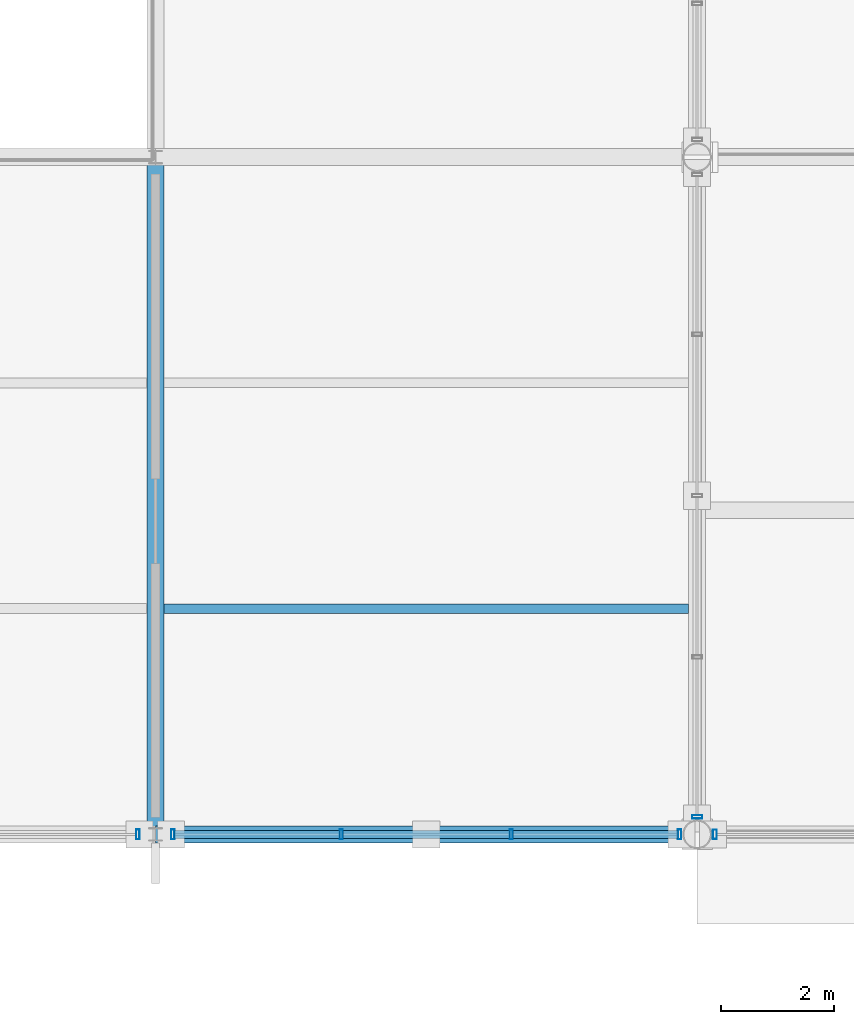
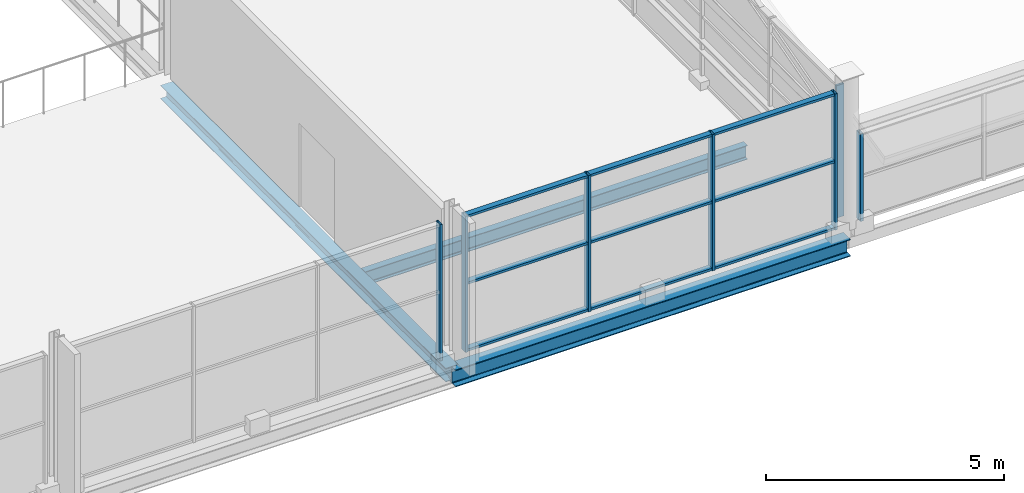
# One storey, part 29 of 117: 16 members, 3 beams, 4 elements without a shape of their own.
"""IFC4 building model written with IfcOpenShell, lengths in metres."""

from ifc_helpers import new_model, si_unit, direction, frame, origin, origin_2d, place, context, subcontext, project, spatial, hollow_rectangle, i_section, extrude, material, material_profile, profile_set, type_object, element, aggregate, save


model = new_model("IFC4")

# Units and contexts
model_context = context("Model", 3, precision=1e-05, world=origin(), true_north=direction((0.0, 1.0)))
body_context = subcontext(model_context, "Body", "Model", "MODEL_VIEW")
ifc_project = project(units=[si_unit("LENGTHUNIT", "METRE"), si_unit("AREAUNIT", "SQUARE_METRE"), si_unit("VOLUMEUNIT", "CUBIC_METRE"), si_unit("PLANEANGLEUNIT", "RADIAN"), si_unit("MASSUNIT", "GRAM", prefix="KILO")], contexts=[model_context])

# Site, building, storey
site_placement = place(None, origin())
site = spatial("IfcSite", under=ifc_project, at=site_placement, CompositionType="ELEMENT")
building_placement = place(site_placement, origin())
building = spatial("IfcBuilding", under=site, at=building_placement, Name="Merenkruunu Market Hall", CompositionType="ELEMENT")
storey_placement = place(building_placement, frame((0.0, 0.0, 10.199951171875)))
storey = spatial("IfcBuildingStorey", under=building, at=storey_placement, Name="L02", CompositionType="ELEMENT", Elevation=10.199951171875)

# Curtain wall, member
ifc_material_1 = material(Name="Powder-coated aluminium", Category="aluminium")
curtain_wall_type_1 = type_object("IfcCurtainWallType", Name="Glazed Curtain Wall CW10", PredefinedType="USERDEFINED", material=ifc_material_1)
curtain_wall_1_placement = place(storey_placement, origin())
curtain_wall_1 = element("IfcCurtainWall", 1, at=curtain_wall_1_placement, inside=storey, type_object=curtain_wall_type_1, Name="CW-L02-CWM02-033", ObjectType="GLAZED_FACADE", PredefinedType="USERDEFINED")
ifc_material_profile_1 = material_profile(ifc_material_1, hollow_rectangle(XDim=0.06005859375, YDim=0.179931640625, WallThickness=0.00390625, at=origin_2d()), Name="ALU 60x180x4")
ifc_profile_set_1 = profile_set([ifc_material_profile_1], Name="Powder-coated aluminium")
member_type_1 = type_object("IfcMemberType", Name="Curtain Wall Mullion CWM02", PredefinedType="MULLION", material=ifc_profile_set_1)
member_1_placement = place(storey_placement, frame((47.68994140625, 15.60009765625, 0.0), z_axis=(0.0, 0.0, 1.0), x_axis=(-1.0, 0.0, 0.0)))
member_1 = element("IfcMember", 2, at=member_1_placement, type_object=member_type_1, Name="CW10 mullion 1", PredefinedType="MULLION", context=body_context, shape_type="SweptSolid", body=[
    extrude(hollow_rectangle(XDim=0.06005859375, YDim=0.179931640625, WallThickness=0.00390625, at=origin_2d()), origin(), (0.0, 0.0, 1.0), 3.5),
])
aggregate(curtain_wall_1, [member_1])

# Curtain wall, members
curtain_wall_2_placement = place(storey_placement, origin())
curtain_wall_2 = element("IfcCurtainWall", 3, at=curtain_wall_2_placement, inside=storey, type_object=curtain_wall_type_1, Name="CW-L02-CWM02-036", ObjectType="GLAZED_FACADE", PredefinedType="USERDEFINED")
member_2_placement = place(storey_placement, frame((57.2900390625, 15.60009765625, 0.0), z_axis=(0.0, 0.0, 1.0), x_axis=(-1.0, 0.0, 0.0)))
member_2 = element("IfcMember", 4, at=member_2_placement, type_object=member_type_1, Name="CW10 mullion 1", PredefinedType="MULLION", context=body_context, shape_type="SweptSolid", body=[
    extrude(hollow_rectangle(XDim=0.06005859375, YDim=0.179931640625, WallThickness=0.00390625, at=origin_2d()), origin(), (0.0, 0.0, 1.0), 3.5),
])
member_3_placement = place(storey_placement, frame((54.306640625, 15.60009765625, 0.0), z_axis=(0.0, 0.0, 1.0), x_axis=(-1.0, 0.0, 0.0)))
member_3 = element("IfcMember", 5, at=member_3_placement, type_object=member_type_1, Name="CW10 mullion 2", PredefinedType="MULLION", context=body_context, shape_type="SweptSolid", body=[
    extrude(hollow_rectangle(XDim=0.06005859375, YDim=0.179931640625, WallThickness=0.00390625, at=origin_2d()), origin(), (0.0, 0.0, 1.0), 3.5),
])
member_4_placement = place(storey_placement, frame((51.293212890625, 15.60009765625, 0.0), z_axis=(0.0, 0.0, 1.0), x_axis=(-1.0, 0.0, 0.0)))
member_4 = element("IfcMember", 6, at=member_4_placement, type_object=member_type_1, Name="CW10 mullion 3", PredefinedType="MULLION", context=body_context, shape_type="SweptSolid", body=[
    extrude(hollow_rectangle(XDim=0.06005859375, YDim=0.179931640625, WallThickness=0.00390625, at=origin_2d()), origin(), (0.0, 0.0, 1.0), 3.5),
])
member_5_placement = place(storey_placement, frame((48.31005859375, 15.60009765625, 0.0), z_axis=(0.0, 0.0, 1.0), x_axis=(-1.0, 0.0, 0.0)))
member_5 = element("IfcMember", 7, at=member_5_placement, type_object=member_type_1, Name="CW10 mullion 4", PredefinedType="MULLION", context=body_context, shape_type="SweptSolid", body=[
    extrude(hollow_rectangle(XDim=0.06005859375, YDim=0.179931640625, WallThickness=0.00390625, at=origin_2d()), origin(), (0.0, 0.0, 1.0), 3.5),
])

# Curtain wall, member
curtain_wall_type_2 = type_object("IfcCurtainWallType", Name="Glazed Curtain Wall CW13", PredefinedType="USERDEFINED", material=ifc_material_1)
curtain_wall_3_placement = place(storey_placement, origin())
curtain_wall_3 = element("IfcCurtainWall", 8, at=curtain_wall_3_placement, inside=storey, type_object=curtain_wall_type_2, Name="CW-L02-CWM02-123", ObjectType="GLAZED_FACADE", PredefinedType="USERDEFINED")
member_6_placement = place(storey_placement, frame((57.60009765625, 15.909912109375, 0.0), z_axis=(0.0, 0.0, 1.0), x_axis=(0.0, 1.0, 0.0)))
member_6 = element("IfcMember", 9, at=member_6_placement, type_object=member_type_1, Name="CW13 mullion 1", PredefinedType="MULLION", context=body_context, shape_type="SweptSolid", body=[
    extrude(hollow_rectangle(XDim=0.06005859375, YDim=0.179931640625, WallThickness=0.00390625, at=origin_2d()), origin(), (0.0, 0.0, 1.0), 3.400146484375),
])
aggregate(curtain_wall_3, [member_6])

curtain_wall_type_3 = type_object("IfcCurtainWallType", Name="Glazed Curtain Wall CW16", PredefinedType="USERDEFINED", material=ifc_material_1)
curtain_wall_4_placement = place(storey_placement, origin())
curtain_wall_4 = element("IfcCurtainWall", 10, at=curtain_wall_4_placement, inside=storey, type_object=curtain_wall_type_3, Name="CW-L02-CWM04-141", ObjectType="GLAZED_FACADE", PredefinedType="USERDEFINED")
ifc_material_profile_2 = material_profile(ifc_material_1, hollow_rectangle(XDim=0.070068359375, YDim=0.169921875, WallThickness=0.0048828125, at=origin_2d()), Name="ALU 70x170x5")
ifc_profile_set_2 = profile_set([ifc_material_profile_2], Name="Powder-coated aluminium")
member_type_2 = type_object("IfcMemberType", Name="Curtain Wall Mullion CWM04", PredefinedType="MULLION", material=ifc_profile_set_2)
member_7_placement = place(storey_placement, frame((57.9150390625, 15.60009765625, 0.0), z_axis=(0.0, 0.0, 1.0), x_axis=(-1.0, 0.0, 0.0)))
member_7 = element("IfcMember", 11, at=member_7_placement, type_object=member_type_2, Name="CW16 mullion 4", PredefinedType="MULLION", context=body_context, shape_type="SweptSolid", body=[
    extrude(hollow_rectangle(XDim=0.070068359375, YDim=0.169921875, WallThickness=0.0048828125, at=origin_2d()), origin(), (0.0, 0.0, 1.0), 2.25),
])
aggregate(curtain_wall_4, [member_7])

# Member
ifc_material_profile_3 = material_profile(ifc_material_1, hollow_rectangle(XDim=0.06005859375, YDim=0.139892578125, WallThickness=0.00390625, at=origin_2d()), Name="ALU 60x140x4")
ifc_profile_set_3 = profile_set([ifc_material_profile_3], Name="Powder-coated aluminium")
member_type_3 = type_object("IfcMemberType", Name="Curtain Wall Transom CWT02", PredefinedType="USERDEFINED", material=ifc_profile_set_3)
member_8_placement = place(storey_placement, frame((57.260009765625, 15.60009765625, 0.030029296875), z_axis=(-1.0, 0.0, 0.0), x_axis=(0.0, 0.0, 1.0)))
member_8 = element("IfcMember", 12, at=member_8_placement, type_object=member_type_3, Name="CW10 transom 1.1", ObjectType="TRANSOM", PredefinedType="USERDEFINED", context=body_context, shape_type="SweptSolid", body=[
    extrude(hollow_rectangle(XDim=0.06005859375, YDim=0.139892578125, WallThickness=0.00390625, at=origin_2d()), origin(), (0.0, 0.0, 1.0), 2.92333984375),
])

member_9_placement = place(storey_placement, frame((57.260009765625, 15.60009765625, 1.75), z_axis=(-1.0, 0.0, 0.0), x_axis=(0.0, 0.0, 1.0)))
member_9 = element("IfcMember", 13, at=member_9_placement, type_object=member_type_3, Name="CW10 transom 1.2", ObjectType="TRANSOM", PredefinedType="USERDEFINED", context=body_context, shape_type="SweptSolid", body=[
    extrude(hollow_rectangle(XDim=0.06005859375, YDim=0.139892578125, WallThickness=0.00390625, at=origin_2d()), origin(), (0.0, 0.0, 1.0), 2.92333984375),
])

member_10_placement = place(storey_placement, frame((57.260009765625, 15.60009765625, 3.469970703125), z_axis=(-1.0, 0.0, 0.0), x_axis=(0.0, 0.0, 1.0)))
member_10 = element("IfcMember", 14, at=member_10_placement, type_object=member_type_3, Name="CW10 transom 1.3", ObjectType="TRANSOM", PredefinedType="USERDEFINED", context=body_context, shape_type="SweptSolid", body=[
    extrude(hollow_rectangle(XDim=0.06005859375, YDim=0.139892578125, WallThickness=0.00390625, at=origin_2d()), origin(), (0.0, 0.0, 1.0), 2.92333984375),
])

member_11_placement = place(storey_placement, frame((54.276611328125, 15.60009765625, 0.030029296875), z_axis=(-1.0, 0.0, 0.0), x_axis=(0.0, 0.0, 1.0)))
member_11 = element("IfcMember", 15, at=member_11_placement, type_object=member_type_3, Name="CW10 transom 2.1", ObjectType="TRANSOM", PredefinedType="USERDEFINED", context=body_context, shape_type="SweptSolid", body=[
    extrude(hollow_rectangle(XDim=0.06005859375, YDim=0.139892578125, WallThickness=0.00390625, at=origin_2d()), origin(), (0.0, 0.0, 1.0), 2.953369140625),
])

member_12_placement = place(storey_placement, frame((54.276611328125, 15.60009765625, 1.75), z_axis=(-1.0, 0.0, 0.0), x_axis=(0.0, 0.0, 1.0)))
member_12 = element("IfcMember", 16, at=member_12_placement, type_object=member_type_3, Name="CW10 transom 2.2", ObjectType="TRANSOM", PredefinedType="USERDEFINED", context=body_context, shape_type="SweptSolid", body=[
    extrude(hollow_rectangle(XDim=0.06005859375, YDim=0.139892578125, WallThickness=0.00390625, at=origin_2d()), origin(), (0.0, 0.0, 1.0), 2.953369140625),
])

member_13_placement = place(storey_placement, frame((54.276611328125, 15.60009765625, 3.469970703125), z_axis=(-1.0, 0.0, 0.0), x_axis=(0.0, 0.0, 1.0)))
member_13 = element("IfcMember", 17, at=member_13_placement, type_object=member_type_3, Name="CW10 transom 2.3", ObjectType="TRANSOM", PredefinedType="USERDEFINED", context=body_context, shape_type="SweptSolid", body=[
    extrude(hollow_rectangle(XDim=0.06005859375, YDim=0.139892578125, WallThickness=0.00390625, at=origin_2d()), origin(), (0.0, 0.0, 1.0), 2.953369140625),
])

member_14_placement = place(storey_placement, frame((51.263427734375, 15.60009765625, 0.030029296875), z_axis=(-1.0, 0.0, 0.0), x_axis=(0.0, 0.0, 1.0)))
member_14 = element("IfcMember", 18, at=member_14_placement, type_object=member_type_3, Name="CW10 transom 3.1", ObjectType="TRANSOM", PredefinedType="USERDEFINED", context=body_context, shape_type="SweptSolid", body=[
    extrude(hollow_rectangle(XDim=0.06005859375, YDim=0.139892578125, WallThickness=0.00390625, at=origin_2d()), origin(), (0.0, 0.0, 1.0), 2.92333984375),
])

member_15_placement = place(storey_placement, frame((51.263427734375, 15.60009765625, 1.75), z_axis=(-1.0, 0.0, 0.0), x_axis=(0.0, 0.0, 1.0)))
member_15 = element("IfcMember", 19, at=member_15_placement, type_object=member_type_3, Name="CW10 transom 3.2", ObjectType="TRANSOM", PredefinedType="USERDEFINED", context=body_context, shape_type="SweptSolid", body=[
    extrude(hollow_rectangle(XDim=0.06005859375, YDim=0.139892578125, WallThickness=0.00390625, at=origin_2d()), origin(), (0.0, 0.0, 1.0), 2.92333984375),
])

member_16_placement = place(storey_placement, frame((51.263427734375, 15.60009765625, 3.469970703125), z_axis=(-1.0, 0.0, 0.0), x_axis=(0.0, 0.0, 1.0)))
member_16 = element("IfcMember", 20, at=member_16_placement, type_object=member_type_3, Name="CW10 transom 3.3", ObjectType="TRANSOM", PredefinedType="USERDEFINED", context=body_context, shape_type="SweptSolid", body=[
    extrude(hollow_rectangle(XDim=0.06005859375, YDim=0.139892578125, WallThickness=0.00390625, at=origin_2d()), origin(), (0.0, 0.0, 1.0), 2.92333984375),
])

aggregate(curtain_wall_2, [member_2, member_3, member_4, member_5, member_8, member_9, member_10, member_11, member_12, member_13, member_14, member_15, member_16])

# Beams
ifc_material_2 = material(Name="Steel S355J2", Category="steel")
ifc_material_profile_4 = material_profile(ifc_material_2, i_section(OverallWidth=0.300048828125, OverallDepth=0.43994140625, WebThickness=0.011474609375, FlangeThickness=0.02099609375, FilletRadius=0.027099609375, at=origin_2d()), Name="HEA 450")
ifc_profile_set_4 = profile_set([ifc_material_profile_4], Name="Steel S355J2")
beam_type_1 = type_object("IfcBeamType", Name="Primary Floor Girder B07", PredefinedType="BEAM", material=ifc_profile_set_4)
beam_1_placement = place(storey_placement, frame((48.0, 15.60009765625, -0.530029296875), z_axis=(1.0, 0.0, 0.0), x_axis=(0.0, 1.0, 0.0)))
element("IfcBeam", 21, at=beam_1_placement, inside=storey, type_object=beam_type_1, Name="BM-L02-B07-0747", PredefinedType="BEAM", context=body_context, shape_type="SweptSolid", body=[
    extrude(i_section(OverallWidth=0.300048828125, OverallDepth=0.43994140625, WebThickness=0.011474609375, FlangeThickness=0.02099609375, FilletRadius=0.027099609375, at=origin_2d()), origin(), (0.0, 0.0, 1.0), 9.60009765625),
])
ifc_material_profile_5 = material_profile(ifc_material_2, i_section(OverallWidth=0.300048828125, OverallDepth=0.35009765625, WebThickness=0.010009765625, FlangeThickness=0.017578125, FilletRadius=0.027099609375, at=origin_2d()), Name="HEA 360")
ifc_profile_set_5 = profile_set([ifc_material_profile_5], Name="Steel S355J2")
beam_type_2 = type_object("IfcBeamType", Name="Primary Floor Girder B08", PredefinedType="BEAM", material=ifc_profile_set_5)
beam_2_placement = place(storey_placement, frame((48.0, 15.60009765625, -0.48486328125), z_axis=(0.0, 1.0, 0.0), x_axis=(-1.0, 0.0, 0.0)))
element("IfcBeam", 22, at=beam_2_placement, inside=storey, type_object=beam_type_2, Name="BM-L02-B08-0778", PredefinedType="BEAM", context=body_context, shape_type="SweptSolid", body=[
    extrude(i_section(OverallWidth=0.300048828125, OverallDepth=0.35009765625, WebThickness=0.010009765625, FlangeThickness=0.017578125, FilletRadius=0.027099609375, at=origin_2d()), origin(), (0.0, 0.0, 1.0), 12.0),
])
ifc_material_profile_6 = material_profile(ifc_material_2, i_section(OverallWidth=0.169921875, OverallDepth=0.360107421875, WebThickness=0.008056640625, FlangeThickness=0.0126953125, FilletRadius=0.01806640625, at=origin_2d()), Name="IPE 360")
ifc_profile_set_6 = profile_set([ifc_material_profile_6], Name="Steel S355J2")
beam_type_3 = type_object("IfcBeamType", Name="Secondary Floor Joist J03", PredefinedType="JOIST", material=ifc_profile_set_6)
beam_3_placement = place(storey_placement, frame((48.153076171875, 19.60009765625, -0.489990234375), z_axis=(1.0, 0.0, 0.0), x_axis=(0.0, 1.0, 0.0)))
element("IfcBeam", 23, at=beam_3_placement, inside=storey, type_object=beam_type_3, Name="BM-L02-J03-0822", PredefinedType="JOIST", context=body_context, shape_type="SweptSolid", body=[
    extrude(i_section(OverallWidth=0.169921875, OverallDepth=0.360107421875, WebThickness=0.008056640625, FlangeThickness=0.0126953125, FilletRadius=0.01806640625, at=origin_2d()), origin(), (0.0, 0.0, 1.0), 9.2939453125),
])

save(model, "model.ifc")
